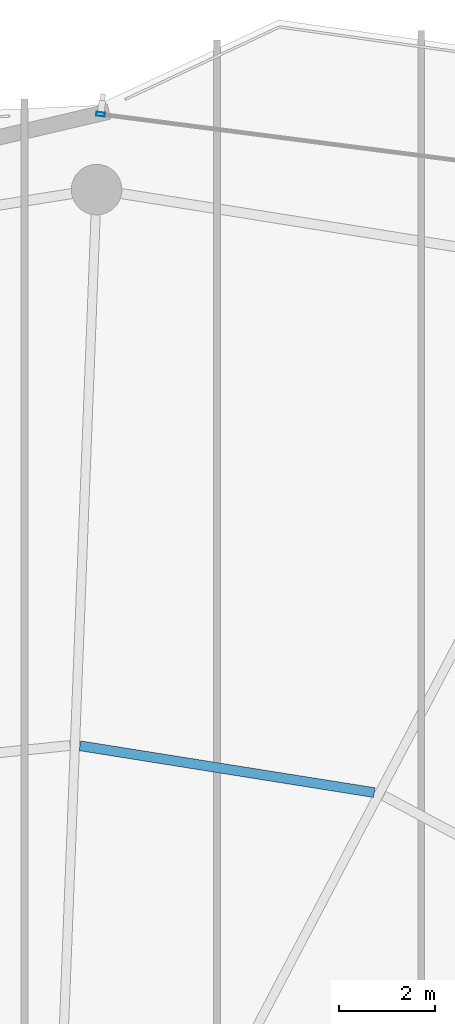
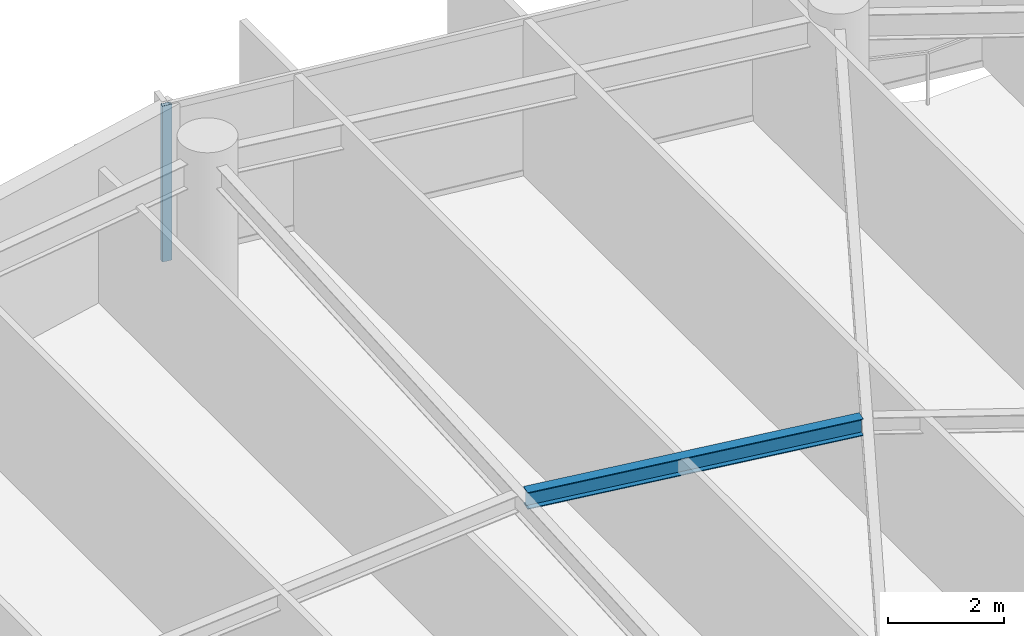
# One storey, part 20 of 31: 1 beam, 1 member, 1 element without a shape of its own.
"""IFC4 building model written with IfcOpenShell, lengths in metres."""

from ifc_helpers import new_model, si_unit, direction, frame, origin, origin_2d, place, context, subcontext, project, spatial, hollow_rectangle, i_section, extrude, material, layer, layer_set, material_profile, profile_set, type_object, element, aggregate, save


model = new_model("IFC4")

# Units and contexts
model_context = context("Model", 3, precision=1e-05, world=origin(), true_north=direction((0.0, 1.0)))
body_context = subcontext(model_context, "Body", "Model", "MODEL_VIEW")
ifc_project = project(units=[si_unit("LENGTHUNIT", "METRE"), si_unit("AREAUNIT", "SQUARE_METRE"), si_unit("VOLUMEUNIT", "CUBIC_METRE"), si_unit("PLANEANGLEUNIT", "RADIAN"), si_unit("MASSUNIT", "GRAM", prefix="KILO")], contexts=[model_context])

# Site, building, storey
site_placement = place(None, origin())
site = spatial("IfcSite", under=ifc_project, at=site_placement, CompositionType="ELEMENT")
building_placement = place(site_placement, origin())
building = spatial("IfcBuilding", under=site, at=building_placement, Name="Kazevale Care Tower and Concert Hall", CompositionType="ELEMENT")
storey_placement = place(building_placement, frame((0.0, 0.0, 187.199951171875)))
storey = spatial("IfcBuildingStorey", under=building, at=storey_placement, Name="L49", CompositionType="ELEMENT", Elevation=187.199951171875)

# Curtain wall, member
ifc_material_1 = material(Name="Aluminium 6063-T6 and Low-E Glass", Category="aluminium")
ifc_layer = layer(ifc_material_1, 0.179931640625)
ifc_layer_set = layer_set([ifc_layer], Name="Aluminium 6063-T6 and Low-E Glass")
curtain_wall_type = type_object("IfcCurtainWallType", Name="Waist & Upper Residential Curtain Wall CW-4", PredefinedType="NOTDEFINED", material=ifc_layer_set)
curtain_wall_placement = place(storey_placement, origin())
curtain_wall = element("IfcCurtainWall", 1, at=curtain_wall_placement, inside=storey, type_object=curtain_wall_type, Name="cw:L49:f16", PredefinedType="NOTDEFINED")
ifc_material_2 = material(Name="Aluminium 6063-T6", Category="aluminium")
ifc_material_profile_1 = material_profile(ifc_material_2, hollow_rectangle(XDim=0.080078125, YDim=0.179931640625, WallThickness=0.0048828125, at=origin_2d()), Name="ALU80x180x5")
ifc_profile_set_1 = profile_set([ifc_material_profile_1], Name="Aluminium 6063-T6")
member_type = type_object("IfcMemberType", Name="CW-4 Mullion ALU80x180x5", PredefinedType="MULLION", material=ifc_profile_set_1)
member_placement = place(storey_placement, frame((45.083740234375, 63.616943359375, 0.0), z_axis=(0.0, 0.0, 1.0), x_axis=(0.128098132904, 0.991761497713, 0.0)))
member = element("IfcMember", 2, at=member_placement, type_object=member_type, Name="CW-4 mullion 1", PredefinedType="MULLION", context=body_context, shape_type="SweptSolid", body=[
    extrude(hollow_rectangle(XDim=0.080078125, YDim=0.179931640625, WallThickness=0.0048828125, at=origin_2d()), origin(), (0.0, 0.0, 1.0), 3.280029296875),
])
aggregate(curtain_wall, [member])

# Beam
ifc_material_3 = material(Name="Steel ASTM A572 Gr 50", Category="steel")
ifc_material_profile_2 = material_profile(ifc_material_3, i_section(OverallWidth=0.205078125, OverallDepth=0.35400390625, WebThickness=0.009521484375, FlangeThickness=0.016845703125, at=origin_2d()), Name="W360x79")
ifc_profile_set_2 = profile_set([ifc_material_profile_2], Name="Steel ASTM A572 Gr 50")
beam_type = type_object("IfcBeamType", Name="Secondary Floor Joist W360x79", PredefinedType="JOIST", material=ifc_profile_set_2)
beam_placement = place(storey_placement, frame((50.77099609375, 49.51806640625, 3.10302734375), z_axis=(-0.987586560603, 0.157075731152, 0.0), x_axis=(-0.157075731152, -0.987586560603, 0.0)))
element("IfcBeam", 3, at=beam_placement, inside=storey, type_object=beam_type, Name="beam:L49:joist:04", PredefinedType="JOIST", context=body_context, shape_type="SweptSolid", body=[
    extrude(i_section(OverallWidth=0.205078125, OverallDepth=0.35400390625, WebThickness=0.009521484375, FlangeThickness=0.016845703125, at=origin_2d()), origin(), (0.0, 0.0, 1.0), 6.19384765625),
])

save(model, "model.ifc")
